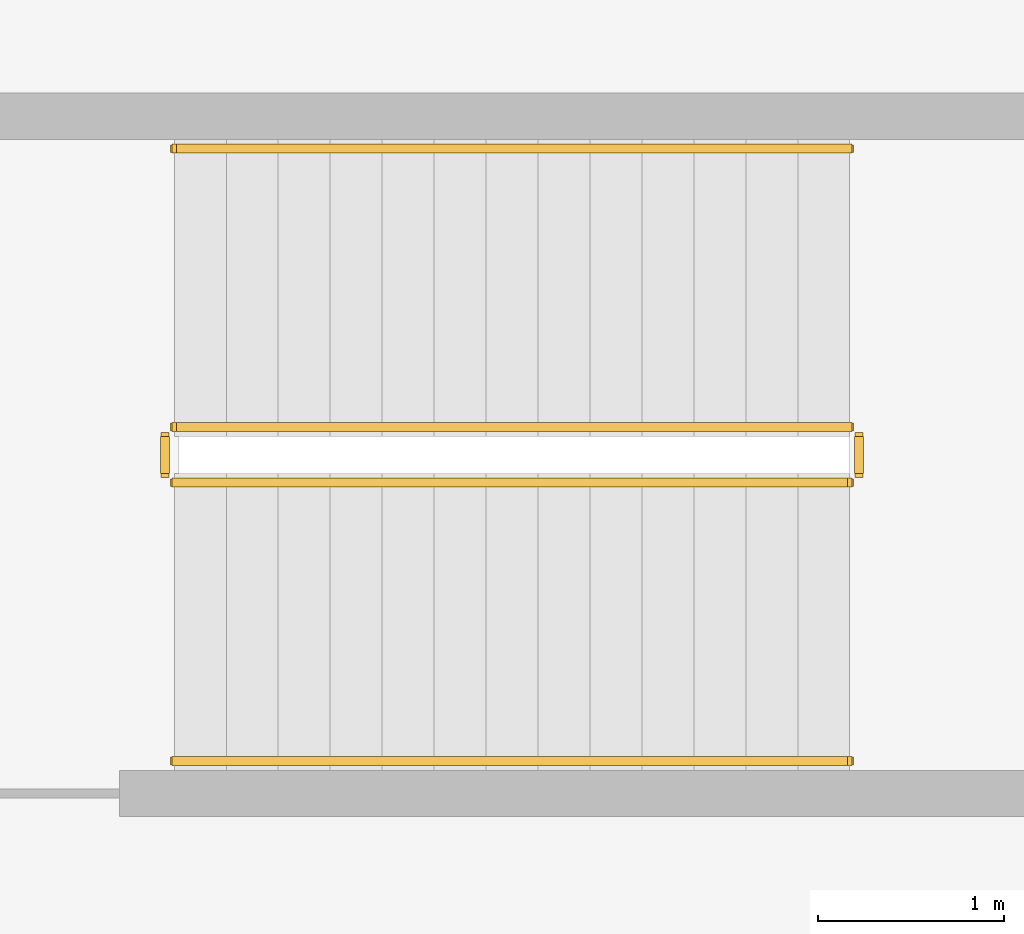
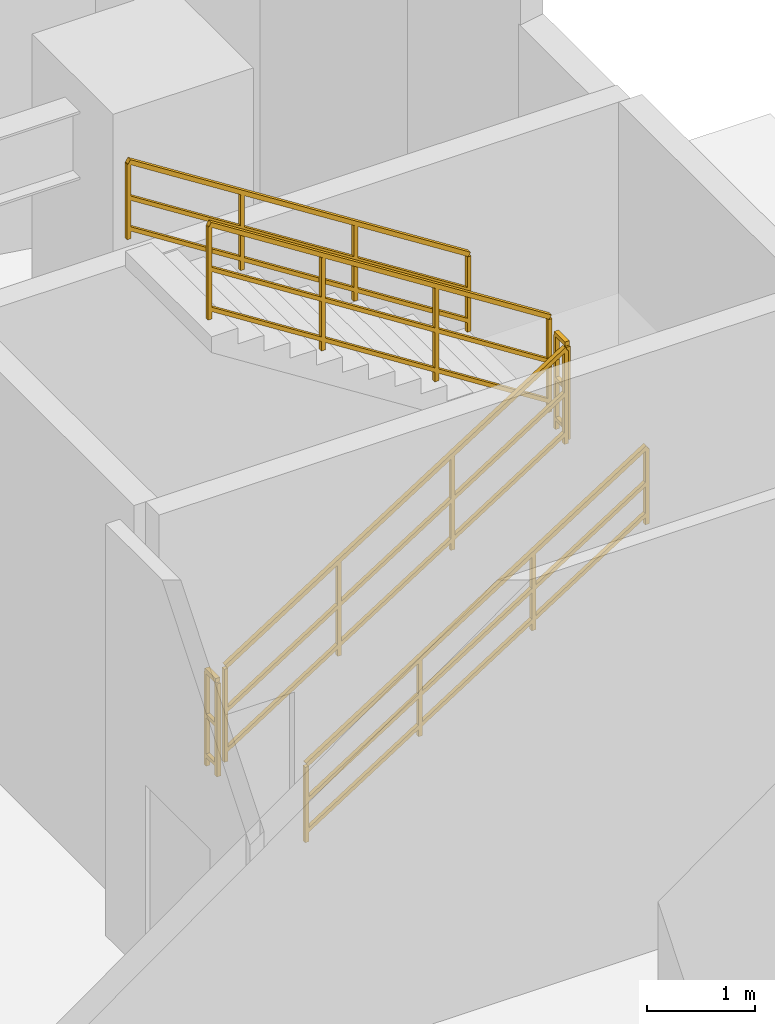
# One storey, part 18 of 18: 6 railings.
"""IFC4 building model written with IfcOpenShell, lengths in metres."""

from ifc_helpers import new_model, si_unit, direction, frame, origin, origin_2d, place, context, subcontext, project, spatial, rectangle, extrude, material, type_object, element, save


model = new_model("IFC4")

# Units and contexts
model_context = context("Model", 3, precision=1e-05, world=origin(), true_north=direction((0.0, 1.0)))
body_context = subcontext(model_context, "Body", "Model", "MODEL_VIEW")
ifc_project = project(units=[si_unit("LENGTHUNIT", "METRE"), si_unit("AREAUNIT", "SQUARE_METRE"), si_unit("VOLUMEUNIT", "CUBIC_METRE"), si_unit("PLANEANGLEUNIT", "RADIAN"), si_unit("MASSUNIT", "GRAM", prefix="KILO")], contexts=[model_context])

# Site, building, storey
site_placement = place(None, origin())
site = spatial("IfcSite", under=ifc_project, at=site_placement, CompositionType="ELEMENT")
building_placement = place(site_placement, origin())
building = spatial("IfcBuilding", under=site, at=building_placement, Name="Zulverin Broadcast Headquarters", CompositionType="ELEMENT")
storey_placement = place(building_placement, origin())
storey = spatial("IfcBuildingStorey", under=building, at=storey_placement, Name="L00", CompositionType="ELEMENT", Elevation=0.0)

# Railings
ifc_material_1 = material(Name="Painted galvanized steel tubular guardrail S355JR", Category="steel")
railing_type_1 = type_object("IfcRailingType", Name="RL-ST-GUARD", PredefinedType="GUARDRAIL", material=ifc_material_1)
railing_1_placement = place(storey_placement, frame((67.969970703125, 41.64990234375, 0.178466796875)))
element("IfcRailing", 1, at=railing_1_placement, inside=storey, type_object=railing_type_1, Name="L00 ST-4 stair guard 1", PredefinedType="GUARDRAIL", context=body_context, shape_type="SweptSolid", body=[
    extrude(rectangle(XDim=0.048095703125, YDim=0.048095703125, at=origin_2d()), frame((0.0, 0.0, 1.076171875), z_axis=(0.843127859045, 0.0, 0.537713132908), x_axis=(0.0, 1.0, 0.0)), (0.0, 0.0, 1.0), 4.3173828125),
    extrude(rectangle(XDim=0.0419921875, YDim=0.0419921875, at=origin_2d()), frame((0.0, 0.0, 0.572021484375), z_axis=(0.843127859045, 0.0, 0.537713132908), x_axis=(0.0, 1.0, 0.0)), (0.0, 0.0, 1.0), 4.3173828125),
    extrude(rectangle(XDim=0.0419921875, YDim=0.0419921875, at=origin_2d()), frame((0.0, 0.0, 0.1201171875), z_axis=(0.843127859045, 0.0, 0.537713132908), x_axis=(0.0, 1.0, 0.0)), (0.0, 0.0, 1.0), 4.3173828125),
    extrude(rectangle(XDim=0.0419921875, YDim=0.0419921875, at=origin_2d()), origin(), (0.0, 0.0, 1.0), 1.052001953125),
    extrude(rectangle(XDim=0.0419921875, YDim=0.0419921875, at=origin_2d()), frame((1.21337890625, 0.0, 0.77392578125)), (0.0, 0.0, 1.0), 1.052001953125),
    extrude(rectangle(XDim=0.0419921875, YDim=0.0419921875, at=origin_2d()), frame((2.4267578125, 0.0, 1.547607421875)), (0.0, 0.0, 1.0), 1.052001953125),
    extrude(rectangle(XDim=0.0419921875, YDim=0.0419921875, at=origin_2d()), frame((3.64013671875, 0.0, 2.321533203125)), (0.0, 0.0, 1.0), 1.052001953125),
])
railing_2_placement = place(storey_placement, frame((71.659912109375, 41.699951171875, 2.5)))
element("IfcRailing", 2, at=railing_2_placement, inside=storey, type_object=railing_type_1, Name="L00 ST-4 stair guard 2", PredefinedType="GUARDRAIL", context=body_context, shape_type="SweptSolid", body=[
    extrude(rectangle(XDim=0.048095703125, YDim=0.048095703125, at=origin_2d()), frame((0.0, 0.0, 1.076171875), z_axis=(0.0, 1.0, 0.0), x_axis=(-1.0, 0.0, 0.0)), (0.0, 0.0, 1.0), 0.199951171875),
    extrude(rectangle(XDim=0.0419921875, YDim=0.0419921875, at=origin_2d()), frame((0.0, 0.0, 0.572021484375), z_axis=(0.0, 1.0, 0.0), x_axis=(-1.0, 0.0, 0.0)), (0.0, 0.0, 1.0), 0.199951171875),
    extrude(rectangle(XDim=0.0419921875, YDim=0.0419921875, at=origin_2d()), frame((0.0, 0.0, 0.1201171875), z_axis=(0.0, 1.0, 0.0), x_axis=(-1.0, 0.0, 0.0)), (0.0, 0.0, 1.0), 0.199951171875),
    extrude(rectangle(XDim=0.0419921875, YDim=0.0419921875, at=origin_2d()), origin(), (0.0, 0.0, 1.0), 1.052001953125),
    extrude(rectangle(XDim=0.0419921875, YDim=0.0419921875, at=origin_2d()), frame((0.0, 0.199951171875, 0.0)), (0.0, 0.0, 1.0), 1.052001953125),
])
railing_3_placement = place(storey_placement, frame((71.610107421875, 41.949951171875, 2.678466796875)))
element("IfcRailing", 3, at=railing_3_placement, inside=storey, type_object=railing_type_1, Name="L00 ST-4 stair guard 3", PredefinedType="GUARDRAIL", context=body_context, shape_type="SweptSolid", body=[
    extrude(rectangle(XDim=0.048095703125, YDim=0.048095703125, at=origin_2d()), frame((0.0, 0.0, 1.076171875), z_axis=(-0.843127859045, 0.0, 0.537713132908), x_axis=(0.0, -1.0, 0.0)), (0.0, 0.0, 1.0), 4.3173828125),
    extrude(rectangle(XDim=0.0419921875, YDim=0.0419921875, at=origin_2d()), frame((0.0, 0.0, 0.572021484375), z_axis=(-0.843127859045, 0.0, 0.537713132908), x_axis=(0.0, -1.0, 0.0)), (0.0, 0.0, 1.0), 4.3173828125),
    extrude(rectangle(XDim=0.0419921875, YDim=0.0419921875, at=origin_2d()), frame((0.0, 0.0, 0.1201171875), z_axis=(-0.843127859045, 0.0, 0.537713132908), x_axis=(0.0, -1.0, 0.0)), (0.0, 0.0, 1.0), 4.3173828125),
    extrude(rectangle(XDim=0.0419921875, YDim=0.0419921875, at=origin_2d()), origin(), (0.0, 0.0, 1.0), 1.052001953125),
    extrude(rectangle(XDim=0.0419921875, YDim=0.0419921875, at=origin_2d()), frame((-1.21337890625, 0.0, 0.77392578125)), (0.0, 0.0, 1.0), 1.052001953125),
    extrude(rectangle(XDim=0.0419921875, YDim=0.0419921875, at=origin_2d()), frame((-2.4267578125, 0.0, 1.547607421875)), (0.0, 0.0, 1.0), 1.052001953125),
    extrude(rectangle(XDim=0.0419921875, YDim=0.0419921875, at=origin_2d()), frame((-3.64013671875, 0.0, 2.321533203125)), (0.0, 0.0, 1.0), 1.052001953125),
])
railing_4_placement = place(storey_placement, frame((67.919921875, 41.699951171875, 0.0)))
element("IfcRailing", 4, at=railing_4_placement, inside=storey, type_object=railing_type_1, Name="L00 ST-4 stair guard 4", PredefinedType="GUARDRAIL", context=body_context, shape_type="SweptSolid", body=[
    extrude(rectangle(XDim=0.048095703125, YDim=0.048095703125, at=origin_2d()), frame((0.0, 0.0, 1.076171875), z_axis=(0.0, 1.0, 0.0), x_axis=(-1.0, 0.0, 0.0)), (0.0, 0.0, 1.0), 0.199951171875),
    extrude(rectangle(XDim=0.0419921875, YDim=0.0419921875, at=origin_2d()), frame((0.0, 0.0, 0.572021484375), z_axis=(0.0, 1.0, 0.0), x_axis=(-1.0, 0.0, 0.0)), (0.0, 0.0, 1.0), 0.199951171875),
    extrude(rectangle(XDim=0.0419921875, YDim=0.0419921875, at=origin_2d()), frame((0.0, 0.0, 0.1201171875), z_axis=(0.0, 1.0, 0.0), x_axis=(-1.0, 0.0, 0.0)), (0.0, 0.0, 1.0), 0.199951171875),
    extrude(rectangle(XDim=0.0419921875, YDim=0.0419921875, at=origin_2d()), origin(), (0.0, 0.0, 1.0), 1.052001953125),
    extrude(rectangle(XDim=0.0419921875, YDim=0.0419921875, at=origin_2d()), frame((0.0, 0.199951171875, 0.0)), (0.0, 0.0, 1.0), 1.052001953125),
])
ifc_material_2 = material(Name="Brushed stainless steel 48 mm handrail", Category="steel")
railing_type_2 = type_object("IfcRailingType", Name="RL-ST-HAND", PredefinedType="HANDRAIL", material=ifc_material_2)
railing_5_placement = place(storey_placement, frame((67.969970703125, 40.14990234375, 0.178466796875)))
element("IfcRailing", 5, at=railing_5_placement, inside=storey, type_object=railing_type_2, Name="L00 ST-4 stair handrail 1", PredefinedType="HANDRAIL", context=body_context, shape_type="SweptSolid", body=[
    extrude(rectangle(XDim=0.048095703125, YDim=0.048095703125, at=origin_2d()), frame((0.0, 0.0, 0.8759765625), z_axis=(0.843127859045, 0.0, 0.537713132908), x_axis=(0.0, 1.0, 0.0)), (0.0, 0.0, 1.0), 4.3173828125),
    extrude(rectangle(XDim=0.0419921875, YDim=0.0419921875, at=origin_2d()), frame((0.0, 0.0, 0.468017578125), z_axis=(0.843127859045, 0.0, 0.537713132908), x_axis=(0.0, 1.0, 0.0)), (0.0, 0.0, 1.0), 4.3173828125),
    extrude(rectangle(XDim=0.0419921875, YDim=0.0419921875, at=origin_2d()), frame((0.0, 0.0, 0.1201171875), z_axis=(0.843127859045, 0.0, 0.537713132908), x_axis=(0.0, 1.0, 0.0)), (0.0, 0.0, 1.0), 4.3173828125),
    extrude(rectangle(XDim=0.0419921875, YDim=0.0419921875, at=origin_2d()), origin(), (0.0, 0.0, 1.0), 0.851806640625),
    extrude(rectangle(XDim=0.0419921875, YDim=0.0419921875, at=origin_2d()), frame((1.21337890625, 0.0, 0.77392578125)), (0.0, 0.0, 1.0), 0.851806640625),
    extrude(rectangle(XDim=0.0419921875, YDim=0.0419921875, at=origin_2d()), frame((2.4267578125, 0.0, 1.547607421875)), (0.0, 0.0, 1.0), 0.851806640625),
    extrude(rectangle(XDim=0.0419921875, YDim=0.0419921875, at=origin_2d()), frame((3.64013671875, 0.0, 2.321533203125)), (0.0, 0.0, 1.0), 0.851806640625),
])
railing_6_placement = place(storey_placement, frame((71.610107421875, 43.449951171875, 2.678466796875)))
element("IfcRailing", 6, at=railing_6_placement, inside=storey, type_object=railing_type_2, Name="L00 ST-4 stair handrail 2", PredefinedType="HANDRAIL", context=body_context, shape_type="SweptSolid", body=[
    extrude(rectangle(XDim=0.048095703125, YDim=0.048095703125, at=origin_2d()), frame((0.0, 0.0, 0.8759765625), z_axis=(-0.843127859045, 0.0, 0.537713132908), x_axis=(0.0, -1.0, 0.0)), (0.0, 0.0, 1.0), 4.3173828125),
    extrude(rectangle(XDim=0.0419921875, YDim=0.0419921875, at=origin_2d()), frame((0.0, 0.0, 0.468017578125), z_axis=(-0.843127859045, 0.0, 0.537713132908), x_axis=(0.0, -1.0, 0.0)), (0.0, 0.0, 1.0), 4.3173828125),
    extrude(rectangle(XDim=0.0419921875, YDim=0.0419921875, at=origin_2d()), frame((0.0, 0.0, 0.1201171875), z_axis=(-0.843127859045, 0.0, 0.537713132908), x_axis=(0.0, -1.0, 0.0)), (0.0, 0.0, 1.0), 4.3173828125),
    extrude(rectangle(XDim=0.0419921875, YDim=0.0419921875, at=origin_2d()), origin(), (0.0, 0.0, 1.0), 0.851806640625),
    extrude(rectangle(XDim=0.0419921875, YDim=0.0419921875, at=origin_2d()), frame((-1.21337890625, 0.0, 0.77392578125)), (0.0, 0.0, 1.0), 0.851806640625),
    extrude(rectangle(XDim=0.0419921875, YDim=0.0419921875, at=origin_2d()), frame((-2.4267578125, 0.0, 1.547607421875)), (0.0, 0.0, 1.0), 0.851806640625),
    extrude(rectangle(XDim=0.0419921875, YDim=0.0419921875, at=origin_2d()), frame((-3.64013671875, 0.0, 2.321533203125)), (0.0, 0.0, 1.0), 0.851806640625),
])

save(model, "model.ifc")
